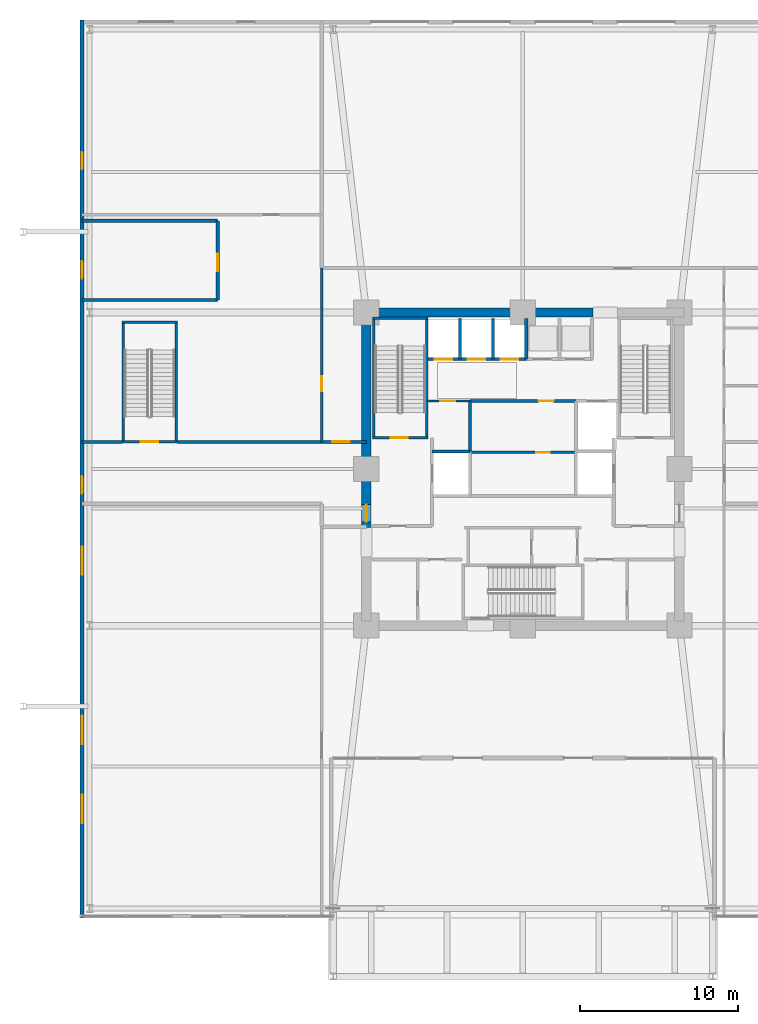
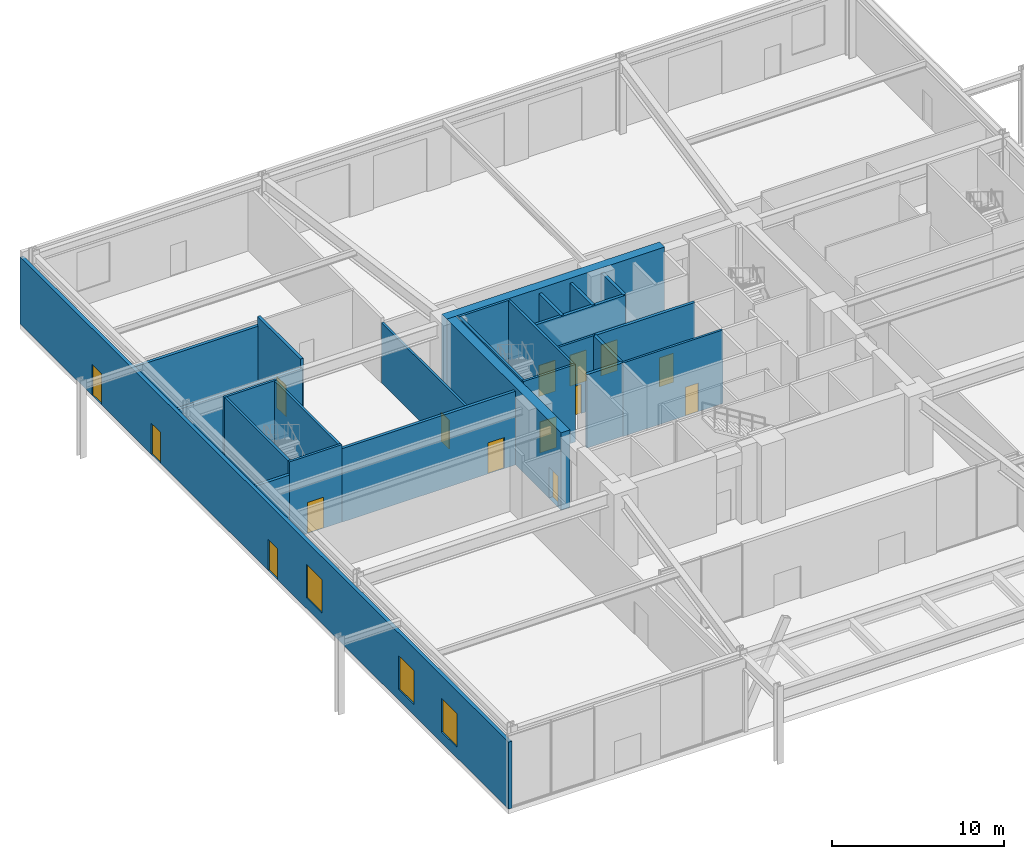
# One storey, part 19 of 24: 26 walls, 15 doors, 3 windows, 18 openings.
"""IFC4 building model written with IfcOpenShell, lengths in metres."""

from ifc_helpers import new_model, si_unit, direction, frame, frame_2d, origin, place, context, subcontext, project, spatial, rectangle, extrude, material, layer, layer_set, type_object, element, fill, save


model = new_model("IFC4")

# Units and contexts
model_context = context("Model", 3, precision=1e-05, world=origin(), true_north=direction((0.0, 1.0)))
body_context = subcontext(model_context, "Body", "Model", "MODEL_VIEW")
ifc_project = project(units=[si_unit("LENGTHUNIT", "METRE"), si_unit("AREAUNIT", "SQUARE_METRE"), si_unit("VOLUMEUNIT", "CUBIC_METRE"), si_unit("PLANEANGLEUNIT", "RADIAN"), si_unit("MASSUNIT", "GRAM", prefix="KILO")], contexts=[model_context])

# Site, building, storey
site_placement = place(None, origin())
site = spatial("IfcSite", under=ifc_project, at=site_placement, CompositionType="ELEMENT")
building_placement = place(site_placement, origin())
building = spatial("IfcBuilding", under=site, at=building_placement, Name="Kolvaren Belvedere", CompositionType="ELEMENT")
storey_placement = place(building_placement, origin())
storey = spatial("IfcBuildingStorey", under=building, at=storey_placement, Name="L01", CompositionType="ELEMENT", Elevation=0.0)

# Wall
ifc_material_1 = material(Name="Concrete C60/75", Category="concrete")
ifc_layer_1 = layer(ifc_material_1, 0.60009765625)
ifc_layer_set_1 = layer_set([ifc_layer_1], Name="Concrete C60/75")
wall_type_1 = type_object("IfcWallType", Name="CW-CORE-600", PredefinedType="SHEAR", material=ifc_layer_set_1)
wall_1_placement = place(storey_placement, frame((-10.199951171875, 9.89990234375, 0.0), z_axis=(0.0, 0.0, 1.0), x_axis=(1.0, 0.0, 0.0)))
element("IfcWall", 1, at=wall_1_placement, inside=storey, type_object=wall_type_1, Name="L01 North Core Shear Wall 1", PredefinedType="SHEAR", context=body_context, shape_type="SweptSolid", body=[
    extrude(rectangle(XDim=14.619873046875, YDim=0.60009765625, at=frame_2d((7.31005859375, 0.0))), origin(), (0.0, 0.0, 1.0), 5.5),
])

# Wall, opening, door
wall_2_placement = place(storey_placement, frame((-9.89990234375, -3.699951171875, 0.0), z_axis=(0.0, 0.0, 1.0), x_axis=(0.0, 1.0, 0.0)))
wall_2 = element("IfcWall", 2, at=wall_2_placement, inside=storey, type_object=wall_type_1, Name="L01 West Core Shear Wall 2", PredefinedType="SHEAR", context=body_context, shape_type="SweptSolid", body=[
    extrude(rectangle(XDim=13.300048828125, YDim=0.60009765625, at=frame_2d((6.64990234375, 0.0))), origin(), (0.0, 0.0, 1.0), 5.5),
])
opening_1_placement = place(wall_2_placement, frame((0.35009765625, 0.0, 0.0)))
opening_1 = element("IfcOpeningElement", 3, at=opening_1_placement, cuts=wall_2, Name="Opening D-FD90", PredefinedType="OPENING", context=body_context, shape_type="SweptSolid", body=[
    extrude(rectangle(XDim=1.10009765625, YDim=2.199951171875, at=frame_2d((0.550048828125, 1.10009765625))), frame((0.0, 0.31005859375, 0.0), z_axis=(0.0, -1.0, 0.0), x_axis=(1.0, 0.0, 0.0)), (0.0, 0.0, 1.0), 0.6201171875),
])
ifc_material_2 = material(Name="Painted hollow stainless steel", Category="steel")
door_type_1 = type_object("IfcDoorType", Name="DR-FD90-1100", OperationType="NOTDEFINED", PredefinedType="DOOR", material=ifc_material_2)
door_1_placement = place(opening_1_placement, origin())
door_1 = element("IfcDoor", 4, at=door_1_placement, inside=storey, type_object=door_type_1, Name="L01 West Firefighting Lobby Fire Door", OperationType="SINGLE_SWING_LEFT", OverallHeight=2.199951171875, OverallWidth=1.10009765625, PredefinedType="DOOR", context=body_context, shape_type="SweptSolid", body=[
    extrude(rectangle(XDim=1.10009765625, YDim=2.199951171875, at=frame_2d((0.550048828125, 1.10009765625))), frame((0.0, 0.02490234375, 0.0), z_axis=(0.0, -1.0, 0.0), x_axis=(1.0, 0.0, 0.0)), (0.0, 0.0, 1.0), 0.050048828125),
])
fill(opening_1, door_1)

ifc_material_3 = material(Name="Concrete C50/60", Category="concrete")
ifc_layer_2 = layer(ifc_material_3, 0.159912109375)
ifc_layer_set_2 = layer_set([ifc_layer_2], Name="Concrete C50/60")
wall_type_2 = type_object("IfcWallType", Name="CW-STAIR-160", PredefinedType="SHEAR", material=ifc_layer_set_2)
wall_3_placement = place(storey_placement, frame((-9.52001953125, 1.969970703125, 0.0), z_axis=(0.0, 0.0, 1.0), x_axis=(1.0, 0.0, 0.0)))
wall_3 = element("IfcWall", 5, at=wall_3_placement, inside=storey, type_object=wall_type_2, Name="L01 Stair ST-1 South Shear Wall", PredefinedType="SHEAR", context=body_context, shape_type="SweptSolid", body=[
    extrude(rectangle(XDim=3.52001953125, YDim=0.159912109375, at=frame_2d((1.760009765625, 0.0))), origin(), (0.0, 0.0, 1.0), 5.5),
])
opening_2_placement = place(wall_3_placement, frame((1.14990234375, 0.0, 0.0)))
opening_2 = element("IfcOpeningElement", 6, at=opening_2_placement, cuts=wall_3, Name="Opening D-FD90", PredefinedType="OPENING", context=body_context, shape_type="SweptSolid", body=[
    extrude(rectangle(XDim=1.10009765625, YDim=2.199951171875, at=frame_2d((0.550048828125, 1.10009765625))), frame((0.0, 0.08984375, 0.0), z_axis=(0.0, -1.0, 0.0), x_axis=(1.0, 0.0, 0.0)), (0.0, 0.0, 1.0), 0.179931640625),
])
door_2_placement = place(opening_2_placement, origin())
door_2 = element("IfcDoor", 7, at=door_2_placement, inside=storey, type_object=door_type_1, Name="L01 Stair ST-1 Fire Door", OperationType="SINGLE_SWING_LEFT", OverallHeight=2.199951171875, OverallWidth=1.10009765625, PredefinedType="DOOR", context=body_context, shape_type="SweptSolid", body=[
    extrude(rectangle(XDim=1.10009765625, YDim=2.199951171875, at=frame_2d((0.550048828125, 1.10009765625))), frame((0.0, 0.02490234375, 0.0), z_axis=(0.0, -1.0, 0.0), x_axis=(1.0, 0.0, 0.0)), (0.0, 0.0, 1.0), 0.050048828125),
])
fill(opening_2, door_2)

# Walls
wall_4_placement = place(storey_placement, frame((-9.52001953125, 9.530029296875, 0.0), z_axis=(0.0, 0.0, 1.0), x_axis=(1.0, 0.0, 0.0)))
element("IfcWall", 8, at=wall_4_placement, inside=storey, type_object=wall_type_2, Name="L01 Stair ST-1 North Shear Wall", PredefinedType="SHEAR", context=body_context, shape_type="SweptSolid", body=[
    extrude(rectangle(XDim=3.52001953125, YDim=0.159912109375, at=frame_2d((1.760009765625, 0.0))), origin(), (0.0, 0.0, 1.0), 5.5),
])
for number, where, z_axis, x_axis, name in (
    (9, (-9.429931640625, 1.969970703125, 0.0), (0.0, 0.0, 1.0), (0.0, 1.0, 0.0), "L01 Stair ST-1 West Shear Wall"),
    (10, (-6.080078125, 1.969970703125, 0.0), (0.0, 0.0, 1.0), (0.0, 1.0, 0.0), "L01 Stair ST-1 East Shear Wall"),
):
    element("IfcWall", number, at=place(storey_placement, frame(where, z_axis=z_axis, x_axis=x_axis)), inside=storey, type_object=wall_type_2, Name=name, PredefinedType="SHEAR", context=body_context, shape_type="SweptSolid", body=[
        extrude(rectangle(XDim=7.56005859375, YDim=0.159912109375, at=frame_2d((3.780029296875, 0.0))), origin(), (0.0, 0.0, 1.0), 5.5),
    ])

# Wall, opening, door
wall_5_placement = place(storey_placement, frame((-25.360107421875, 1.719970703125, 0.0), z_axis=(0.0, 0.0, 1.0), x_axis=(1.0, 0.0, 0.0)))
wall_5 = element("IfcWall", 11, at=wall_5_placement, inside=storey, type_object=wall_type_2, Name="L01 Stair ST-P1 South Shear Wall", PredefinedType="SHEAR", context=body_context, shape_type="SweptSolid", body=[
    extrude(rectangle(XDim=3.510009765625, YDim=0.159912109375, at=frame_2d((1.7548828125, 0.0))), origin(), (0.0, 0.0, 1.0), 5.5),
])
opening_3_placement = place(wall_5_placement, frame((1.199951171875, 0.0, 0.0)))
opening_3 = element("IfcOpeningElement", 12, at=opening_3_placement, cuts=wall_5, Name="Opening D-FD90", PredefinedType="OPENING", context=body_context, shape_type="SweptSolid", body=[
    extrude(rectangle(XDim=1.10009765625, YDim=2.199951171875, at=frame_2d((0.550048828125, 1.10009765625))), frame((0.0, 0.08984375, 0.0), z_axis=(0.0, -1.0, 0.0), x_axis=(1.0, 0.0, 0.0)), (0.0, 0.0, 1.0), 0.179931640625),
])
door_3_placement = place(opening_3_placement, origin())
door_3 = element("IfcDoor", 13, at=door_3_placement, inside=storey, type_object=door_type_1, Name="L01 Podium Stair ST-P1 Exit Door", OperationType="SINGLE_SWING_LEFT", OverallHeight=2.199951171875, OverallWidth=1.10009765625, PredefinedType="DOOR", context=body_context, shape_type="SweptSolid", body=[
    extrude(rectangle(XDim=1.10009765625, YDim=2.199951171875, at=frame_2d((0.550048828125, 1.10009765625))), frame((0.0, 0.02490234375, 0.0), z_axis=(0.0, -1.0, 0.0), x_axis=(1.0, 0.0, 0.0)), (0.0, 0.0, 1.0), 0.050048828125),
])
fill(opening_3, door_3)

# Walls
wall_6_placement = place(storey_placement, frame((-25.360107421875, 9.280029296875, 0.0), z_axis=(0.0, 0.0, 1.0), x_axis=(1.0, 0.0, 0.0)))
element("IfcWall", 14, at=wall_6_placement, inside=storey, type_object=wall_type_2, Name="L01 Stair ST-P1 North Shear Wall", PredefinedType="SHEAR", context=body_context, shape_type="SweptSolid", body=[
    extrude(rectangle(XDim=3.510009765625, YDim=0.159912109375, at=frame_2d((1.7548828125, 0.0))), origin(), (0.0, 0.0, 1.0), 5.5),
])
for number, where, z_axis, x_axis, name in (
    (15, (-25.280029296875, 1.719970703125, 0.0), (0.0, 0.0, 1.0), (0.0, 1.0, 0.0), "L01 Stair ST-P1 West Shear Wall"),
    (16, (-21.929931640625, 1.719970703125, 0.0), (0.0, 0.0, 1.0), (0.0, 1.0, 0.0), "L01 Stair ST-P1 East Shear Wall"),
):
    element("IfcWall", number, at=place(storey_placement, frame(where, z_axis=z_axis, x_axis=x_axis)), inside=storey, type_object=wall_type_2, Name=name, PredefinedType="SHEAR", context=body_context, shape_type="SweptSolid", body=[
        extrude(rectangle(XDim=7.56005859375, YDim=0.159912109375, at=frame_2d((3.780029296875, 0.0))), origin(), (0.0, 0.0, 1.0), 5.5),
    ])

# Wall, opening, door
ifc_material_4 = material(Name="Gypsum fire-rated partition assembly", Category="gypsum")
ifc_layer_3 = layer(ifc_material_4, 0.14990234375)
ifc_layer_set_3 = layer_set([ifc_layer_3], Name="Gypsum fire-rated partition assembly")
wall_type_3 = type_object("IfcWallType", Name="WL-CORR-150", PredefinedType="PARTITIONING", material=ifc_layer_set_3)
wall_7_placement = place(storey_placement, frame((-12.719970703125, 1.719970703125, 0.0), z_axis=(0.0, 0.0, 1.0), x_axis=(0.0, 1.0, 0.0)))
wall_7 = element("IfcWall", 17, at=wall_7_placement, inside=storey, type_object=wall_type_3, Name="L01 Concierge East Wall", PredefinedType="PARTITIONING", context=body_context, shape_type="SweptSolid", body=[
    extrude(rectangle(XDim=11.0, YDim=0.14990234375, at=frame_2d((5.5, 0.0))), origin(), (0.0, 0.0, 1.0), 4.278076171875),
])
opening_4_placement = place(wall_7_placement, frame((3.199951171875, 0.0, 0.0)))
opening_4 = element("IfcOpeningElement", 18, at=opening_4_placement, cuts=wall_7, Name="Opening D-FD60", PredefinedType="OPENING", context=body_context, shape_type="SweptSolid", body=[
    extrude(rectangle(XDim=0.949951171875, YDim=2.06005859375, at=frame_2d((0.47509765625, 1.030029296875))), frame((0.0, 0.0849609375, 0.0), z_axis=(0.0, -1.0, 0.0), x_axis=(1.0, 0.0, 0.0)), (0.0, 0.0, 1.0), 0.169921875),
])
ifc_material_5 = material(Name="Acoustic white-oak fire door leaf", Category="timber")
door_type_2 = type_object("IfcDoorType", Name="DR-FD60-950", OperationType="NOTDEFINED", PredefinedType="DOOR", material=ifc_material_5)
door_4_placement = place(opening_4_placement, origin())
door_4 = element("IfcDoor", 19, at=door_4_placement, inside=storey, type_object=door_type_2, Name="L01 Concierge Hall Door", OperationType="SINGLE_SWING_LEFT", OverallHeight=2.06005859375, OverallWidth=0.949951171875, PredefinedType="DOOR", context=body_context, shape_type="SweptSolid", body=[
    extrude(rectangle(XDim=0.949951171875, YDim=2.06005859375, at=frame_2d((0.47509765625, 1.030029296875))), frame((0.0, 0.02490234375, 0.0), z_axis=(0.0, -1.0, 0.0), x_axis=(1.0, 0.0, 0.0)), (0.0, 0.0, 1.0), 0.050048828125),
])
fill(opening_4, door_4)

# Wall, openings, doors, windows
ifc_material_6 = material(Name="Insulated pale-metal facade wall assembly", Category="aluminium")
ifc_layer_4 = layer(ifc_material_6, 0.239990234375)
ifc_layer_set_4 = layer_set([ifc_layer_4], Name="Insulated pale-metal facade wall assembly")
wall_type_4 = type_object("IfcWallType", Name="WL-EXT-240", PredefinedType="STANDARD", material=ifc_layer_set_4)
wall_8_placement = place(storey_placement, frame((-27.8798828125, -28.39990234375, 0.0), z_axis=(0.0, 0.0, 1.0), x_axis=(0.0, 1.0, 0.0)))
wall_8 = element("IfcWall", 20, at=wall_8_placement, inside=storey, type_object=wall_type_4, Name="L01 West Street Facade Wall", PredefinedType="STANDARD", context=body_context, shape_type="SweptSolid", body=[
    extrude(rectangle(XDim=56.7998046875, YDim=0.239990234375, at=frame_2d((28.39990234375, 0.0))), origin(), (0.0, 0.0, 1.0), 4.748046875),
])
opening_5_placement = place(wall_8_placement, frame((26.85009765625, 0.0, 0.0)))
opening_5 = element("IfcOpeningElement", 21, at=opening_5_placement, cuts=wall_8, Name="Opening DEX-1100", PredefinedType="OPENING", context=body_context, shape_type="SweptSolid", body=[
    extrude(rectangle(XDim=1.10009765625, YDim=2.199951171875, at=frame_2d((0.550048828125, 1.10009765625))), frame((0.0, 0.1298828125, 0.0), z_axis=(0.0, -1.0, 0.0), x_axis=(1.0, 0.0, 0.0)), (0.0, 0.0, 1.0), 0.260009765625),
])
opening_6_placement = place(wall_8_placement, frame((40.449951171875, 0.0, 0.0)))
opening_6 = element("IfcOpeningElement", 22, at=opening_6_placement, cuts=wall_8, Name="Opening DEX-1100", PredefinedType="OPENING", context=body_context, shape_type="SweptSolid", body=[
    extrude(rectangle(XDim=1.10009765625, YDim=2.199951171875, at=frame_2d((0.550048828125, 1.10009765625))), frame((0.0, 0.1298828125, 0.0), z_axis=(0.0, -1.0, 0.0), x_axis=(1.0, 0.0, 0.0)), (0.0, 0.0, 1.0), 0.260009765625),
])
opening_7_placement = place(wall_8_placement, frame((47.35009765625, 0.0, 0.0)))
opening_7 = element("IfcOpeningElement", 23, at=opening_7_placement, cuts=wall_8, Name="Opening DEX-1100", PredefinedType="OPENING", context=body_context, shape_type="SweptSolid", body=[
    extrude(rectangle(XDim=1.10009765625, YDim=2.199951171875, at=frame_2d((0.550048828125, 1.10009765625))), frame((0.0, 0.1298828125, 0.0), z_axis=(0.0, -1.0, 0.0), x_axis=(1.0, 0.0, 0.0)), (0.0, 0.0, 1.0), 0.260009765625),
])
opening_8_placement = place(wall_8_placement, frame((6.0, 0.0, 0.75)))
opening_8 = element("IfcOpeningElement", 24, at=opening_8_placement, cuts=wall_8, Name="Opening W-1800", PredefinedType="OPENING", context=body_context, shape_type="SweptSolid", body=[
    extrude(rectangle(XDim=1.800048828125, YDim=2.39990234375, at=frame_2d((0.89990234375, 1.199951171875))), frame((0.0, 0.1298828125, 0.0), z_axis=(0.0, -1.0, 0.0), x_axis=(1.0, 0.0, 0.0)), (0.0, 0.0, 1.0), 0.260009765625),
])
opening_9_placement = place(wall_8_placement, frame((11.0, 0.0, 0.75)))
opening_9 = element("IfcOpeningElement", 25, at=opening_9_placement, cuts=wall_8, Name="Opening W-1800", PredefinedType="OPENING", context=body_context, shape_type="SweptSolid", body=[
    extrude(rectangle(XDim=1.800048828125, YDim=2.39990234375, at=frame_2d((0.89990234375, 1.199951171875))), frame((0.0, 0.1298828125, 0.0), z_axis=(0.0, -1.0, 0.0), x_axis=(1.0, 0.0, 0.0)), (0.0, 0.0, 1.0), 0.260009765625),
])
opening_10_placement = place(wall_8_placement, frame((21.699951171875, 0.0, 0.75)))
opening_10 = element("IfcOpeningElement", 26, at=opening_10_placement, cuts=wall_8, Name="Opening W-1800", PredefinedType="OPENING", context=body_context, shape_type="SweptSolid", body=[
    extrude(rectangle(XDim=1.800048828125, YDim=2.39990234375, at=frame_2d((0.89990234375, 1.199951171875))), frame((0.0, 0.1298828125, 0.0), z_axis=(0.0, -1.0, 0.0), x_axis=(1.0, 0.0, 0.0)), (0.0, 0.0, 1.0), 0.260009765625),
])
ifc_material_7 = material(Name="Insulated hollow stainless-steel fire exit door", Category="steel")
door_type_3 = type_object("IfcDoorType", Name="DR-EXIT-1100", OperationType="NOTDEFINED", PredefinedType="DOOR", material=ifc_material_7)
door_5_placement = place(opening_5_placement, origin())
door_5 = element("IfcDoor", 27, at=door_5_placement, inside=storey, type_object=door_type_3, Name="L01 West Protected Exit Passage Discharge Door", OperationType="SINGLE_SWING_LEFT", OverallHeight=2.199951171875, OverallWidth=1.10009765625, PredefinedType="DOOR", context=body_context, shape_type="SweptSolid", body=[
    extrude(rectangle(XDim=1.10009765625, YDim=2.199951171875, at=frame_2d((0.550048828125, 1.10009765625))), frame((0.0, 0.02490234375, 0.0), z_axis=(0.0, -1.0, 0.0), x_axis=(1.0, 0.0, 0.0)), (0.0, 0.0, 1.0), 0.050048828125),
])
fill(opening_5, door_5)
door_6_placement = place(opening_6_placement, origin())
door_6 = element("IfcDoor", 28, at=door_6_placement, inside=storey, type_object=door_type_3, Name="L01 Fire Command Centre Direct Street Door", OperationType="SINGLE_SWING_RIGHT", OverallHeight=2.199951171875, OverallWidth=1.10009765625, PredefinedType="DOOR", context=body_context, shape_type="SweptSolid", body=[
    extrude(rectangle(XDim=1.10009765625, YDim=2.199951171875, at=frame_2d((0.550048828125, 1.10009765625))), frame((0.0, 0.02490234375, 0.0), z_axis=(0.0, -1.0, 0.0), x_axis=(1.0, 0.0, 0.0)), (0.0, 0.0, 1.0), 0.050048828125),
])
fill(opening_6, door_6)
door_7_placement = place(opening_7_placement, origin())
door_7 = element("IfcDoor", 29, at=door_7_placement, inside=storey, type_object=door_type_3, Name="L01 North-West Street Exit Door", OperationType="SINGLE_SWING_LEFT", OverallHeight=2.199951171875, OverallWidth=1.10009765625, PredefinedType="DOOR", context=body_context, shape_type="SweptSolid", body=[
    extrude(rectangle(XDim=1.10009765625, YDim=2.199951171875, at=frame_2d((0.550048828125, 1.10009765625))), frame((0.0, 0.02490234375, 0.0), z_axis=(0.0, -1.0, 0.0), x_axis=(1.0, 0.0, 0.0)), (0.0, 0.0, 1.0), 0.050048828125),
])
fill(opening_7, door_7)
ifc_material_8 = material(Name="Low-iron triple insulated glass", Category="glass")
window_type = type_object("IfcWindowType", Name="WN-POD-1800", PartitioningType="SINGLE_PANEL", PredefinedType="WINDOW", material=ifc_material_8)
window_1_placement = place(opening_8_placement, origin())
window_1 = element("IfcWindow", 30, at=window_1_placement, inside=storey, type_object=window_type, Name="L01 West Street Storefront Window 1", OverallHeight=2.39990234375, OverallWidth=1.800048828125, PartitioningType="SINGLE_PANEL", PredefinedType="WINDOW", context=body_context, shape_type="SweptSolid", body=[
    extrude(rectangle(XDim=1.800048828125, YDim=2.39990234375, at=frame_2d((0.89990234375, 1.199951171875))), frame((0.0, 0.030029296875, 0.0), z_axis=(0.0, -1.0, 0.0), x_axis=(1.0, 0.0, 0.0)), (0.0, 0.0, 1.0), 0.06005859375),
])
fill(opening_8, window_1)
window_2_placement = place(opening_9_placement, origin())
window_2 = element("IfcWindow", 31, at=window_2_placement, inside=storey, type_object=window_type, Name="L01 West Street Storefront Window 2", OverallHeight=2.39990234375, OverallWidth=1.800048828125, PartitioningType="SINGLE_PANEL", PredefinedType="WINDOW", context=body_context, shape_type="SweptSolid", body=[
    extrude(rectangle(XDim=1.800048828125, YDim=2.39990234375, at=frame_2d((0.89990234375, 1.199951171875))), frame((0.0, 0.030029296875, 0.0), z_axis=(0.0, -1.0, 0.0), x_axis=(1.0, 0.0, 0.0)), (0.0, 0.0, 1.0), 0.06005859375),
])
fill(opening_9, window_2)
window_3_placement = place(opening_10_placement, origin())
window_3 = element("IfcWindow", 32, at=window_3_placement, inside=storey, type_object=window_type, Name="L01 West Street Storefront Window 3", OverallHeight=2.39990234375, OverallWidth=1.800048828125, PartitioningType="SINGLE_PANEL", PredefinedType="WINDOW", context=body_context, shape_type="SweptSolid", body=[
    extrude(rectangle(XDim=1.800048828125, YDim=2.39990234375, at=frame_2d((0.89990234375, 1.199951171875))), frame((0.0, 0.030029296875, 0.0), z_axis=(0.0, -1.0, 0.0), x_axis=(1.0, 0.0, 0.0)), (0.0, 0.0, 1.0), 0.06005859375),
])
fill(opening_10, window_3)

# Wall, opening, door
ifc_material_9 = material(Name="Gypsum acoustic partition assembly", Category="gypsum")
ifc_layer_5 = layer(ifc_material_9, 0.14990234375)
ifc_layer_set_5 = layer_set([ifc_layer_5], Name="Gypsum acoustic partition assembly")
wall_type_5 = type_object("IfcWallType", Name="WL-PART-150", PredefinedType="PARTITIONING", material=ifc_layer_set_5)
wall_9_placement = place(storey_placement, frame((-3.35009765625, 1.050048828125, 0.0), z_axis=(0.0, 0.0, 1.0), x_axis=(1.0, 0.0, 0.0)))
wall_9 = element("IfcWall", 33, at=wall_9_placement, inside=storey, type_object=wall_type_5, Name="L01 Central Core H-Divider", PredefinedType="PARTITIONING", context=body_context, shape_type="SweptSolid", body=[
    extrude(rectangle(XDim=6.7001953125, YDim=0.14990234375, at=frame_2d((3.35009765625, 0.0))), origin(), (0.0, 0.0, 1.0), 5.219970703125),
])
opening_11_placement = place(wall_9_placement, frame((4.199951171875, 0.0, 0.0)))
opening_11 = element("IfcOpeningElement", 34, at=opening_11_placement, cuts=wall_9, Name="Opening D-INT85", PredefinedType="OPENING", context=body_context, shape_type="SweptSolid", body=[
    extrude(rectangle(XDim=0.85009765625, YDim=2.030029296875, at=frame_2d((0.425048828125, 1.01513671875))), frame((0.0, 0.0849609375, 0.0), z_axis=(0.0, -1.0, 0.0), x_axis=(1.0, 0.0, 0.0)), (0.0, 0.0, 1.0), 0.169921875),
])
ifc_material_10 = material(Name="Stained Pacific white oak", Category="timber")
door_type_4 = type_object("IfcDoorType", Name="DR-INT-850", OperationType="NOTDEFINED", PredefinedType="DOOR", material=ifc_material_10)
door_8_placement = place(opening_11_placement, origin())
door_8 = element("IfcDoor", 35, at=door_8_placement, inside=storey, type_object=door_type_4, Name="L01 Central Archive Door", OperationType="SINGLE_SWING_LEFT", OverallHeight=2.030029296875, OverallWidth=0.85009765625, PredefinedType="DOOR", context=body_context, shape_type="SweptSolid", body=[
    extrude(rectangle(XDim=0.85009765625, YDim=2.030029296875, at=frame_2d((0.425048828125, 1.01513671875))), frame((0.0, 0.02490234375, 0.0), z_axis=(0.0, -1.0, 0.0), x_axis=(1.0, 0.0, 0.0)), (0.0, 0.0, 1.0), 0.050048828125),
])
fill(opening_11, door_8)

wall_10_placement = place(storey_placement, frame((-6.080078125, 4.300048828125, 0.0), z_axis=(0.0, 0.0, 1.0), x_axis=(1.0, 0.0, 0.0)))
wall_10 = element("IfcWall", 36, at=wall_10_placement, inside=storey, type_object=wall_type_5, Name="L01 NW Service Room North Wall", PredefinedType="PARTITIONING", context=body_context, shape_type="SweptSolid", body=[
    extrude(rectangle(XDim=2.72998046875, YDim=0.14990234375, at=frame_2d((1.364990234375, 0.0))), origin(), (0.0, 0.0, 1.0), 5.219970703125),
])
opening_12_placement = place(wall_10_placement, frame((0.85009765625, 0.0, 0.0)))
opening_12 = element("IfcOpeningElement", 37, at=opening_12_placement, cuts=wall_10, Name="Opening D-FD60", PredefinedType="OPENING", context=body_context, shape_type="SweptSolid", body=[
    extrude(rectangle(XDim=0.949951171875, YDim=2.06005859375, at=frame_2d((0.47509765625, 1.030029296875))), frame((0.0, 0.0849609375, 0.0), z_axis=(0.0, -1.0, 0.0), x_axis=(1.0, 0.0, 0.0)), (0.0, 0.0, 1.0), 0.169921875),
])
door_9_placement = place(opening_12_placement, origin())
door_9 = element("IfcDoor", 38, at=door_9_placement, inside=storey, type_object=door_type_2, Name="L01 NW Core Store Door", OperationType="SINGLE_SWING_RIGHT", OverallHeight=2.06005859375, OverallWidth=0.949951171875, PredefinedType="DOOR", context=body_context, shape_type="SweptSolid", body=[
    extrude(rectangle(XDim=0.949951171875, YDim=2.06005859375, at=frame_2d((0.47509765625, 1.030029296875))), frame((0.0, 0.02490234375, 0.0), z_axis=(0.0, -1.0, 0.0), x_axis=(1.0, 0.0, 0.0)), (0.0, 0.0, 1.0), 0.050048828125),
])
fill(opening_12, door_9)

# Wall
ifc_material_11 = material(Name="Concrete C50/60", Category="concrete")
ifc_layer_6 = layer(ifc_material_11, 0.199951171875)
ifc_layer_set_6 = layer_set([ifc_layer_6], Name="Concrete C50/60")
wall_type_6 = type_object("IfcWallType", Name="WL-SHAFT-200", PredefinedType="SOLIDWALL", material=ifc_layer_set_6)
wall_11_placement = place(storey_placement, frame((-5.75, 1.10009765625, 0.0), z_axis=(0.0, 0.0, 1.0), x_axis=(1.0, 0.0, 0.0)))
element("IfcWall", 39, at=wall_11_placement, inside=storey, type_object=wall_type_6, Name="L01 FSAE FS1 North Wall", PredefinedType="SOLIDWALL", context=body_context, shape_type="SweptSolid", body=[
    extrude(rectangle(XDim=2.39990234375, YDim=0.199951171875, at=frame_2d((1.199951171875, 0.0))), origin(), (0.0, 0.0, 1.0), 5.219970703125),
])

# Wall, openings, doors
wall_12_placement = place(storey_placement, frame((-6.080078125, 6.949951171875, 0.0), z_axis=(0.0, 0.0, 1.0), x_axis=(1.0, 0.0, 0.0)))
wall_12 = element("IfcWall", 40, at=wall_12_placement, inside=storey, type_object=wall_type_6, Name="L01 Low-Rise Lift Bank Front Wall", PredefinedType="SOLIDWALL", context=body_context, shape_type="SweptSolid", body=[
    extrude(rectangle(XDim=6.300048828125, YDim=0.199951171875, at=frame_2d((3.14990234375, 0.0))), origin(), (0.0, 0.0, 1.0), 5.219970703125),
])
opening_13_placement = place(wall_12_placement, frame((0.52001953125, 0.0, 0.0)))
opening_13 = element("IfcOpeningElement", 41, at=opening_13_placement, cuts=wall_12, Name="Opening LD-11", PredefinedType="OPENING", context=body_context, shape_type="SweptSolid", body=[
    extrude(rectangle(XDim=1.10009765625, YDim=2.199951171875, at=frame_2d((0.550048828125, 1.10009765625))), frame((0.0, 0.10986328125, 0.0), z_axis=(0.0, -1.0, 0.0), x_axis=(1.0, 0.0, 0.0)), (0.0, 0.0, 1.0), 0.219970703125),
])
opening_14_placement = place(wall_12_placement, frame((2.60009765625, 0.0, 0.0)))
opening_14 = element("IfcOpeningElement", 42, at=opening_14_placement, cuts=wall_12, Name="Opening LD-11", PredefinedType="OPENING", context=body_context, shape_type="SweptSolid", body=[
    extrude(rectangle(XDim=1.10009765625, YDim=2.199951171875, at=frame_2d((0.550048828125, 1.10009765625))), frame((0.0, 0.10986328125, 0.0), z_axis=(0.0, -1.0, 0.0), x_axis=(1.0, 0.0, 0.0)), (0.0, 0.0, 1.0), 0.219970703125),
])
opening_15_placement = place(wall_12_placement, frame((4.679931640625, 0.0, 0.0)))
opening_15 = element("IfcOpeningElement", 43, at=opening_15_placement, cuts=wall_12, Name="Opening LD-11", PredefinedType="OPENING", context=body_context, shape_type="SweptSolid", body=[
    extrude(rectangle(XDim=1.10009765625, YDim=2.199951171875, at=frame_2d((0.550048828125, 1.10009765625))), frame((0.0, 0.10986328125, 0.0), z_axis=(0.0, -1.0, 0.0), x_axis=(1.0, 0.0, 0.0)), (0.0, 0.0, 1.0), 0.219970703125),
])
ifc_material_12 = material(Name="Brushed stainless steel", Category="steel")
door_type_5 = type_object("IfcDoorType", Name="DR-LIFT-1100", OperationType="DOUBLE_DOOR_SLIDING", PredefinedType="DOOR", material=ifc_material_12)
door_10_placement = place(opening_13_placement, origin())
door_10 = element("IfcDoor", 44, at=door_10_placement, inside=storey, type_object=door_type_5, Name="L01 Passenger Lift P1 Landing Door", OperationType="DOUBLE_DOOR_SLIDING", OverallHeight=2.199951171875, OverallWidth=1.10009765625, PredefinedType="DOOR", context=body_context, shape_type="SweptSolid", body=[
    extrude(rectangle(XDim=1.10009765625, YDim=2.199951171875, at=frame_2d((0.550048828125, 1.10009765625))), frame((0.0, 0.02490234375, 0.0), z_axis=(0.0, -1.0, 0.0), x_axis=(1.0, 0.0, 0.0)), (0.0, 0.0, 1.0), 0.050048828125),
])
fill(opening_13, door_10)
door_11_placement = place(opening_14_placement, origin())
door_11 = element("IfcDoor", 45, at=door_11_placement, inside=storey, type_object=door_type_5, Name="L01 Passenger Lift P2 Landing Door", OperationType="DOUBLE_DOOR_SLIDING", OverallHeight=2.199951171875, OverallWidth=1.10009765625, PredefinedType="DOOR", context=body_context, shape_type="SweptSolid", body=[
    extrude(rectangle(XDim=1.10009765625, YDim=2.199951171875, at=frame_2d((0.550048828125, 1.10009765625))), frame((0.0, 0.02490234375, 0.0), z_axis=(0.0, -1.0, 0.0), x_axis=(1.0, 0.0, 0.0)), (0.0, 0.0, 1.0), 0.050048828125),
])
fill(opening_14, door_11)
door_12_placement = place(opening_15_placement, origin())
door_12 = element("IfcDoor", 46, at=door_12_placement, inside=storey, type_object=door_type_5, Name="L01 Passenger Lift P3 Landing Door", OperationType="DOUBLE_DOOR_SLIDING", OverallHeight=2.199951171875, OverallWidth=1.10009765625, PredefinedType="DOOR", context=body_context, shape_type="SweptSolid", body=[
    extrude(rectangle(XDim=1.10009765625, YDim=2.199951171875, at=frame_2d((0.550048828125, 1.10009765625))), frame((0.0, 0.02490234375, 0.0), z_axis=(0.0, -1.0, 0.0), x_axis=(1.0, 0.0, 0.0)), (0.0, 0.0, 1.0), 0.050048828125),
])
fill(opening_15, door_12)

# Walls
for number, where, z_axis, x_axis, name in (
    (47, (-3.969970703125, 6.949951171875, 0.0), (0.0, 0.0, 1.0), (0.0, 1.0, 0.0), "L01 Low-Rise Hoistway Divider 1"),
    (48, (-1.889892578125, 6.949951171875, 0.0), (0.0, 0.0, 1.0), (0.0, 1.0, 0.0), "L01 Low-Rise Hoistway Divider 2"),
    (49, (0.2099609375, 6.949951171875, 0.0), (0.0, 0.0, 1.0), (0.0, 1.0, 0.0), "L01 Low-Rise Hoistway Divider 3"),
):
    element("IfcWall", number, at=place(storey_placement, frame(where, z_axis=z_axis, x_axis=x_axis)), inside=storey, type_object=wall_type_6, Name=name, PredefinedType="SOLIDWALL", context=body_context, shape_type="SweptSolid", body=[
        extrude(rectangle(XDim=2.570068359375, YDim=0.199951171875, at=frame_2d((1.28515625, 0.0))), origin(), (0.0, 0.0, 1.0), 5.219970703125),
    ])

# Wall, opening, door
wall_13_placement = place(storey_placement, frame((-3.35009765625, 4.300048828125, 0.0), z_axis=(0.0, 0.0, 1.0), x_axis=(1.0, 0.0, 0.0)))
wall_13 = element("IfcWall", 50, at=wall_13_placement, inside=storey, type_object=wall_type_6, Name="L01 Central Core Room North Wall", PredefinedType="SOLIDWALL", context=body_context, shape_type="SweptSolid", body=[
    extrude(rectangle(XDim=6.7001953125, YDim=0.199951171875, at=frame_2d((3.35009765625, 0.0))), origin(), (0.0, 0.0, 1.0), 5.219970703125),
])
opening_16_placement = place(wall_13_placement, frame((4.35009765625, 0.0, 0.0)))
opening_16 = element("IfcOpeningElement", 51, at=opening_16_placement, cuts=wall_13, Name="Opening D-FD60", PredefinedType="OPENING", context=body_context, shape_type="SweptSolid", body=[
    extrude(rectangle(XDim=0.949951171875, YDim=2.06005859375, at=frame_2d((0.47509765625, 1.030029296875))), frame((0.0, 0.10986328125, 0.0), z_axis=(0.0, -1.0, 0.0), x_axis=(1.0, 0.0, 0.0)), (0.0, 0.0, 1.0), 0.219970703125),
])
door_13_placement = place(opening_16_placement, origin())
door_13 = element("IfcDoor", 52, at=door_13_placement, inside=storey, type_object=door_type_2, Name="L01 Central Core Controls Door", OperationType="SINGLE_SWING_LEFT", OverallHeight=2.06005859375, OverallWidth=0.949951171875, PredefinedType="DOOR", context=body_context, shape_type="SweptSolid", body=[
    extrude(rectangle(XDim=0.949951171875, YDim=2.06005859375, at=frame_2d((0.47509765625, 1.030029296875))), frame((0.0, 0.02490234375, 0.0), z_axis=(0.0, -1.0, 0.0), x_axis=(1.0, 0.0, 0.0)), (0.0, 0.0, 1.0), 0.050048828125),
])
fill(opening_16, door_13)

# Walls
wall_14_placement = place(storey_placement, frame((-3.35009765625, 1.10009765625, 0.0), z_axis=(0.0, 0.0, 1.0), x_axis=(0.0, 1.0, 0.0)))
element("IfcWall", 53, at=wall_14_placement, inside=storey, type_object=wall_type_6, Name="L01 Central Core Room West Wall", PredefinedType="SOLIDWALL", context=body_context, shape_type="SweptSolid", body=[
    extrude(rectangle(XDim=3.199951171875, YDim=0.199951171875, at=frame_2d((1.60009765625, 0.0))), origin(), (0.0, 0.0, 1.0), 5.219970703125),
])
wall_15_placement = place(storey_placement, frame((-27.8798828125, 1.719970703125, 0.0), z_axis=(0.0, 0.0, 1.0), x_axis=(1.0, 0.0, 0.0)))
element("IfcWall", 54, at=wall_15_placement, inside=storey, type_object=wall_type_6, Name="L01 West Exit Passage North Outer Wall", PredefinedType="SOLIDWALL", context=body_context, shape_type="SweptSolid", body=[
    extrude(rectangle(XDim=2.519775390625, YDim=0.199951171875, at=frame_2d((1.259765625, 0.0))), origin(), (0.0, 0.0, 1.0), 4.589111328125),
])

# Wall, opening, door
wall_16_placement = place(storey_placement, frame((-21.85009765625, 1.719970703125, 0.0), z_axis=(0.0, 0.0, 1.0), x_axis=(1.0, 0.0, 0.0)))
wall_16 = element("IfcWall", 55, at=wall_16_placement, inside=storey, type_object=wall_type_6, Name="L01 West Exit Passage North Inner Wall", PredefinedType="SOLIDWALL", context=body_context, shape_type="SweptSolid", body=[
    extrude(rectangle(XDim=11.9501953125, YDim=0.199951171875, at=frame_2d((5.97509765625, 0.0))), origin(), (0.0, 0.0, 1.0), 5.219970703125),
])
opening_17_placement = place(wall_16_placement, frame((9.800048828125, 0.0, 0.0)))
opening_17 = element("IfcOpeningElement", 56, at=opening_17_placement, cuts=wall_16, Name="Opening D-FD90", PredefinedType="OPENING", context=body_context, shape_type="SweptSolid", body=[
    extrude(rectangle(XDim=1.10009765625, YDim=2.199951171875, at=frame_2d((0.550048828125, 1.10009765625))), frame((0.0, 0.10986328125, 0.0), z_axis=(0.0, -1.0, 0.0), x_axis=(1.0, 0.0, 0.0)), (0.0, 0.0, 1.0), 0.219970703125),
])
door_14_placement = place(opening_17_placement, origin())
door_14 = element("IfcDoor", 57, at=door_14_placement, inside=storey, type_object=door_type_1, Name="L01 West Protected Passage Fire Door", OperationType="SINGLE_SWING_LEFT", OverallHeight=2.199951171875, OverallWidth=1.10009765625, PredefinedType="DOOR", context=body_context, shape_type="SweptSolid", body=[
    extrude(rectangle(XDim=1.10009765625, YDim=2.199951171875, at=frame_2d((0.550048828125, 1.10009765625))), frame((0.0, 0.02490234375, 0.0), z_axis=(0.0, -1.0, 0.0), x_axis=(1.0, 0.0, 0.0)), (0.0, 0.0, 1.0), 0.050048828125),
])
fill(opening_17, door_14)

wall_17_placement = place(storey_placement, frame((-19.300048828125, 10.699951171875, 0.0), z_axis=(0.0, 0.0, 1.0), x_axis=(0.0, 1.0, 0.0)))
wall_17 = element("IfcWall", 58, at=wall_17_placement, inside=storey, type_object=wall_type_6, Name="L01 Fire Command Centre East Fire Wall", PredefinedType="SOLIDWALL", context=body_context, shape_type="SweptSolid", body=[
    extrude(rectangle(XDim=5.0, YDim=0.199951171875, at=frame_2d((2.5, 0.0))), origin(), (0.0, 0.0, 1.0), 5.219970703125),
])
opening_18_placement = place(wall_17_placement, frame((1.800048828125, 0.0, 0.0)))
opening_18 = element("IfcOpeningElement", 59, at=opening_18_placement, cuts=wall_17, Name="Opening D-FD90", PredefinedType="OPENING", context=body_context, shape_type="SweptSolid", body=[
    extrude(rectangle(XDim=1.10009765625, YDim=2.199951171875, at=frame_2d((0.550048828125, 1.10009765625))), frame((0.0, 0.10986328125, 0.0), z_axis=(0.0, -1.0, 0.0), x_axis=(1.0, 0.0, 0.0)), (0.0, 0.0, 1.0), 0.219970703125),
])
door_15_placement = place(opening_18_placement, origin())
door_15 = element("IfcDoor", 60, at=door_15_placement, inside=storey, type_object=door_type_1, Name="L01 Fire Command Centre Interior Door", OperationType="SINGLE_SWING_RIGHT", OverallHeight=2.199951171875, OverallWidth=1.10009765625, PredefinedType="DOOR", context=body_context, shape_type="SweptSolid", body=[
    extrude(rectangle(XDim=1.10009765625, YDim=2.199951171875, at=frame_2d((0.550048828125, 1.10009765625))), frame((0.0, 0.02490234375, 0.0), z_axis=(0.0, -1.0, 0.0), x_axis=(1.0, 0.0, 0.0)), (0.0, 0.0, 1.0), 0.050048828125),
])
fill(opening_18, door_15)

# Walls
for number, where, z_axis, x_axis, name in (
    (61, (-27.8798828125, 10.699951171875, 0.0), (0.0, 0.0, 1.0), (1.0, 0.0, 0.0), "L01 Fire Command Centre South Fire Wall"),
    (62, (-27.8798828125, 15.699951171875, 0.0), (0.0, 0.0, 1.0), (1.0, 0.0, 0.0), "L01 Fire Command Centre North Fire Wall"),
):
    element("IfcWall", number, at=place(storey_placement, frame(where, z_axis=z_axis, x_axis=x_axis)), inside=storey, type_object=wall_type_6, Name=name, PredefinedType="SOLIDWALL", context=body_context, shape_type="SweptSolid", body=[
        extrude(rectangle(XDim=8.579833984375, YDim=0.199951171875, at=frame_2d((4.2900390625, 0.0))), origin(), (0.0, 0.0, 1.0), 4.589111328125),
    ])

save(model, "model.ifc")
